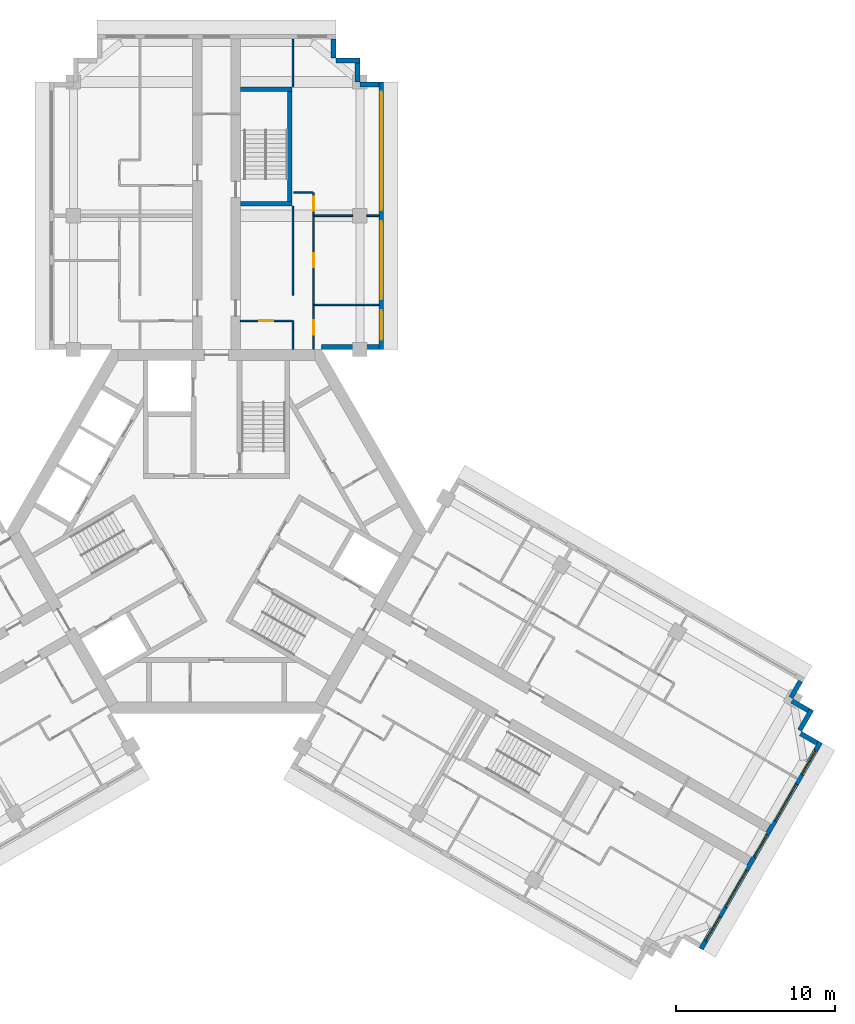
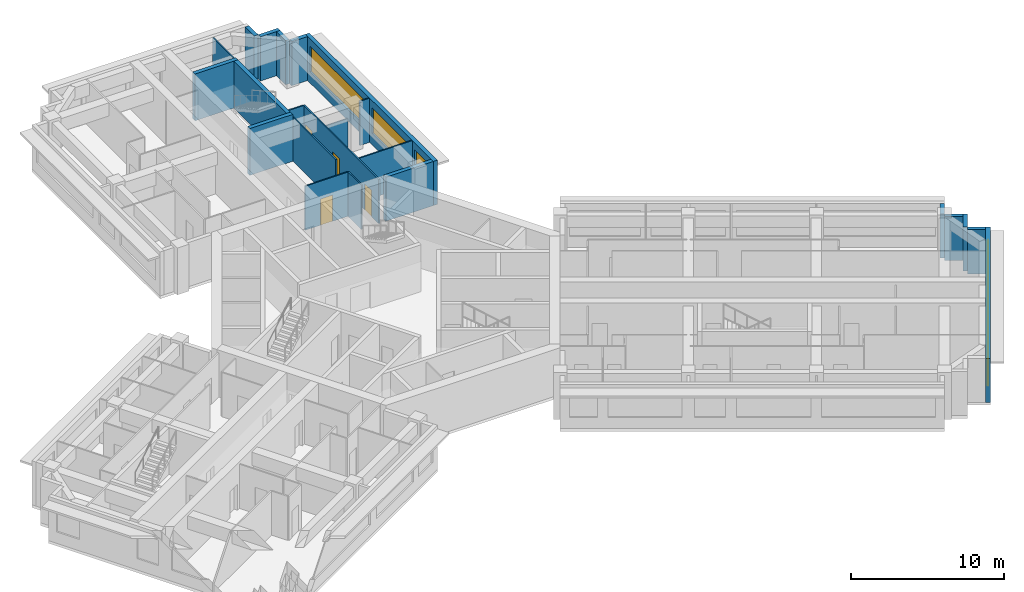
# One storey, part 8 of 10: 23 walls, 8 windows, 4 doors, 12 openings.
"""IFC4 building model written with IfcOpenShell, lengths in metres."""

from ifc_helpers import new_model, si_unit, direction, frame, frame_2d, origin, place, context, subcontext, project, spatial, rectangle, extrude, material, layer, layer_set, type_object, element, fill, save


model = new_model("IFC4")

# Units and contexts
model_context = context("Model", 3, precision=1e-05, world=origin(), true_north=direction((0.0, 1.0)))
body_context = subcontext(model_context, "Body", "Model", "MODEL_VIEW")
ifc_project = project(units=[si_unit("LENGTHUNIT", "METRE"), si_unit("AREAUNIT", "SQUARE_METRE"), si_unit("VOLUMEUNIT", "CUBIC_METRE"), si_unit("PLANEANGLEUNIT", "RADIAN"), si_unit("MASSUNIT", "GRAM", prefix="KILO")], contexts=[model_context])

# Site, building, storey
site_placement = place(None, origin())
site = spatial("IfcSite", under=ifc_project, at=site_placement, CompositionType="ELEMENT")
building_placement = place(site_placement, origin())
building = spatial("IfcBuilding", under=site, at=building_placement, Name="Impinga Residences", CompositionType="ELEMENT")
storey_placement = place(building_placement, frame((0.0, 0.0, 226.0)))
storey = spatial("IfcBuildingStorey", under=building, at=storey_placement, Name="L56", CompositionType="ELEMENT", Elevation=226.0)

# Walls
ifc_material_1 = material(Name="Terracotta rainscreen on blockwork", Category="masonry")
ifc_layer_1 = layer(ifc_material_1, 0.300048828125)
ifc_layer_set_1 = layer_set([ifc_layer_1], Name="EW1 external wall, terracotta rainscreen on blockwork 300")
wall_type_1 = type_object("IfcWallType", Name="EW1 external wall, terracotta rainscreen on blockwork 300", PredefinedType="SOLIDWALL", material=ifc_layer_set_1)
wall_1_placement = place(storey_placement, frame((36.69384765625, -9.4072265625, 0.0), z_axis=(0.0, 0.0, 1.0), x_axis=(-0.499880961361, -0.866094119867, 0.0)))
element("IfcWall", 1, at=wall_1_placement, inside=storey, type_object=wall_type_1, Name="External wall EW1 L56", PredefinedType="SOLIDWALL", context=body_context, shape_type="SweptSolid", body=[
    extrude(rectangle(XDim=1.199951171875, YDim=0.300048828125, at=frame_2d((0.60009765625, 0.0))), origin(), (0.0, 0.0, 1.0), 3.530029296875),
])
wall_2_placement = place(storey_placement, frame((36.153076171875, -10.654052734375, 0.0), z_axis=(0.0, 0.0, 1.0), x_axis=(0.866059708757, -0.499940577336, 0.0)))
element("IfcWall", 2, at=wall_2_placement, inside=storey, type_object=wall_type_1, Name="External wall EW1 L56", PredefinedType="SOLIDWALL", context=body_context, shape_type="SweptSolid", body=[
    extrude(rectangle(XDim=1.195068359375, YDim=0.300048828125, at=frame_2d((0.59765625, 0.0))), origin(), (0.0, 0.0, 1.0), 3.530029296875),
])
wall_3_placement = place(storey_placement, frame((37.39306640625, -11.196533203125, 0.0), z_axis=(0.0, 0.0, 1.0), x_axis=(-0.499990139034, -0.866031096941, 0.0)))
element("IfcWall", 3, at=wall_3_placement, inside=storey, type_object=wall_type_1, Name="External wall EW1 L56", PredefinedType="SOLIDWALL", context=body_context, shape_type="SweptSolid", body=[
    extrude(rectangle(XDim=1.5, YDim=0.300048828125, at=frame_2d((0.75, 0.0))), origin(), (0.0, 0.0, 1.0), 3.530029296875),
])
wall_4_placement = place(storey_placement, frame((36.7021484375, -12.702880859375, 0.0), z_axis=(0.0, 0.0, 1.0), x_axis=(0.865971243484, -0.500093796661, 0.0)))
element("IfcWall", 4, at=wall_4_placement, inside=storey, type_object=wall_type_1, Name="External wall EW1 L56", PredefinedType="SOLIDWALL", context=body_context, shape_type="SweptSolid", body=[
    extrude(rectangle(XDim=1.195068359375, YDim=0.300048828125, at=frame_2d((0.59765625, 0.0))), origin(), (0.0, 0.0, 1.0), 3.530029296875),
])

# Wall, openings, windows
wall_5_placement = place(storey_placement, frame((37.94189453125, -13.24560546875, 0.0), z_axis=(0.0, 0.0, 1.0), x_axis=(-0.500004234368, -0.866022959057, 0.0)))
wall_5 = element("IfcWall", 5, at=wall_5_placement, inside=storey, type_object=wall_type_1, Name="External wall EW1 L56", PredefinedType="SOLIDWALL", context=body_context, shape_type="SweptSolid", body=[
    extrude(rectangle(XDim=14.999755859375, YDim=0.300048828125, at=frame_2d((7.5, 0.0))), origin(), (0.0, 0.0, 1.0), 3.530029296875),
])
opening_1_placement = place(wall_5_placement, frame((0.60009765625, 0.0, 0.89990234375)))
opening_1 = element("IfcOpeningElement", 6, at=opening_1_placement, cuts=wall_5, Name="Opening W1", PredefinedType="OPENING", context=body_context, shape_type="SweptSolid", body=[
    extrude(rectangle(XDim=1.75, YDim=2.050048828125, at=frame_2d((0.875, 1.02490234375))), frame((0.0, 0.159912109375, 0.0), z_axis=(0.0, -1.0, 0.0), x_axis=(1.0, 0.0, 0.0)), (0.0, 0.0, 1.0), 0.320068359375),
])
opening_2_placement = place(wall_5_placement, frame((3.050048828125, 0.0, 0.89990234375)))
opening_2 = element("IfcOpeningElement", 7, at=opening_2_placement, cuts=wall_5, Name="Opening W18", PredefinedType="OPENING", context=body_context, shape_type="SweptSolid", body=[
    extrude(rectangle(XDim=2.64990234375, YDim=2.050048828125, at=frame_2d((1.324951171875, 1.02490234375))), frame((0.0, 0.159912109375, 0.0), z_axis=(0.0, -1.0, 0.0), x_axis=(1.0, 0.0, 0.0)), (0.0, 0.0, 1.0), 0.320068359375),
])
opening_3_placement = place(wall_5_placement, frame((6.699951171875, 0.0, 0.89990234375)))
opening_3 = element("IfcOpeningElement", 8, at=opening_3_placement, cuts=wall_5, Name="Opening W19", PredefinedType="OPENING", context=body_context, shape_type="SweptSolid", body=[
    extrude(rectangle(XDim=1.60009765625, YDim=2.050048828125, at=frame_2d((0.800048828125, 1.02490234375))), frame((0.0, 0.159912109375, 0.0), z_axis=(0.0, -1.0, 0.0), x_axis=(1.0, 0.0, 0.0)), (0.0, 0.0, 1.0), 0.320068359375),
])
opening_4_placement = place(wall_5_placement, frame((9.300048828125, 0.0, 0.89990234375)))
opening_4 = element("IfcOpeningElement", 9, at=opening_4_placement, cuts=wall_5, Name="Opening W18", PredefinedType="OPENING", context=body_context, shape_type="SweptSolid", body=[
    extrude(rectangle(XDim=2.64990234375, YDim=2.050048828125, at=frame_2d((1.324951171875, 1.02490234375))), frame((0.0, 0.159912109375, 0.0), z_axis=(0.0, -1.0, 0.0), x_axis=(1.0, 0.0, 0.0)), (0.0, 0.0, 1.0), 0.320068359375),
])
opening_5_placement = place(wall_5_placement, frame((12.64990234375, 0.0, 0.89990234375)))
opening_5 = element("IfcOpeningElement", 10, at=opening_5_placement, cuts=wall_5, Name="Opening W1", PredefinedType="OPENING", context=body_context, shape_type="SweptSolid", body=[
    extrude(rectangle(XDim=1.75, YDim=2.050048828125, at=frame_2d((0.875, 1.02490234375))), frame((0.0, 0.159912109375, 0.0), z_axis=(0.0, -1.0, 0.0), x_axis=(1.0, 0.0, 0.0)), (0.0, 0.0, 1.0), 0.320068359375),
])
ifc_material_2 = material(Name="Aluminium window, clear double glazing", Category="aluminium")
window_type_1 = type_object("IfcWindowType", Name="W1 ribbon window 1750x2050", PartitioningType="SINGLE_PANEL", PredefinedType="WINDOW", material=ifc_material_2)
window_1_placement = place(opening_1_placement, origin())
window_1 = element("IfcWindow", 11, at=window_1_placement, inside=storey, type_object=window_type_1, Name="Window L56", OverallHeight=2.050048828125, OverallWidth=1.75, PartitioningType="SINGLE_PANEL", PredefinedType="WINDOW", context=body_context, shape_type="SweptSolid", body=[
    extrude(rectangle(XDim=1.75, YDim=2.050048828125, at=frame_2d((0.875, 1.02490234375))), frame((0.0, 0.030029296875, 0.0), z_axis=(0.0, -1.0, 0.0), x_axis=(1.0, 0.0, 0.0)), (0.0, 0.0, 1.0), 0.06005859375),
])
fill(opening_1, window_1)
window_2_placement = place(opening_5_placement, origin())
window_2 = element("IfcWindow", 12, at=window_2_placement, inside=storey, type_object=window_type_1, Name="Window L56", OverallHeight=2.050048828125, OverallWidth=1.75, PartitioningType="SINGLE_PANEL", PredefinedType="WINDOW", context=body_context, shape_type="SweptSolid", body=[
    extrude(rectangle(XDim=1.75, YDim=2.050048828125, at=frame_2d((0.875, 1.02490234375))), frame((0.0, 0.030029296875, 0.0), z_axis=(0.0, -1.0, 0.0), x_axis=(1.0, 0.0, 0.0)), (0.0, 0.0, 1.0), 0.06005859375),
])
fill(opening_5, window_2)
window_type_2 = type_object("IfcWindowType", Name="W18 ribbon window 2650x2050", PartitioningType="SINGLE_PANEL", PredefinedType="WINDOW", material=ifc_material_2)
window_3_placement = place(opening_2_placement, origin())
window_3 = element("IfcWindow", 13, at=window_3_placement, inside=storey, type_object=window_type_2, Name="Window L56", OverallHeight=2.050048828125, OverallWidth=2.64990234375, PartitioningType="SINGLE_PANEL", PredefinedType="WINDOW", context=body_context, shape_type="SweptSolid", body=[
    extrude(rectangle(XDim=2.64990234375, YDim=2.050048828125, at=frame_2d((1.324951171875, 1.02490234375))), frame((0.0, 0.030029296875, 0.0), z_axis=(0.0, -1.0, 0.0), x_axis=(1.0, 0.0, 0.0)), (0.0, 0.0, 1.0), 0.06005859375),
])
fill(opening_2, window_3)
window_4_placement = place(opening_4_placement, origin())
window_4 = element("IfcWindow", 14, at=window_4_placement, inside=storey, type_object=window_type_2, Name="Window L56", OverallHeight=2.050048828125, OverallWidth=2.64990234375, PartitioningType="SINGLE_PANEL", PredefinedType="WINDOW", context=body_context, shape_type="SweptSolid", body=[
    extrude(rectangle(XDim=2.64990234375, YDim=2.050048828125, at=frame_2d((1.324951171875, 1.02490234375))), frame((0.0, 0.030029296875, 0.0), z_axis=(0.0, -1.0, 0.0), x_axis=(1.0, 0.0, 0.0)), (0.0, 0.0, 1.0), 0.06005859375),
])
fill(opening_4, window_4)
window_type_3 = type_object("IfcWindowType", Name="W19 ribbon window 1600x2050", PartitioningType="SINGLE_PANEL", PredefinedType="WINDOW", material=ifc_material_2)
window_5_placement = place(opening_3_placement, origin())
window_5 = element("IfcWindow", 15, at=window_5_placement, inside=storey, type_object=window_type_3, Name="Window L56", OverallHeight=2.050048828125, OverallWidth=1.60009765625, PartitioningType="SINGLE_PANEL", PredefinedType="WINDOW", context=body_context, shape_type="SweptSolid", body=[
    extrude(rectangle(XDim=1.60009765625, YDim=2.050048828125, at=frame_2d((0.800048828125, 1.02490234375))), frame((0.0, 0.030029296875, 0.0), z_axis=(0.0, -1.0, 0.0), x_axis=(1.0, 0.0, 0.0)), (0.0, 0.0, 1.0), 0.06005859375),
])
fill(opening_3, window_5)

# Walls
wall_6_placement = place(storey_placement, frame((7.35009765625, 30.931640625, 0.0), z_axis=(0.0, 0.0, 1.0), x_axis=(0.0, -1.0, 0.0)))
element("IfcWall", 16, at=wall_6_placement, inside=storey, type_object=wall_type_1, Name="External wall EW1 L56", PredefinedType="SOLIDWALL", context=body_context, shape_type="SweptSolid", body=[
    extrude(rectangle(XDim=1.195068359375, YDim=0.300048828125, at=frame_2d((0.59765625, 0.0))), origin(), (0.0, 0.0, 1.0), 3.530029296875),
])
wall_7_placement = place(storey_placement, frame((7.5, 29.58154296875, 0.0), z_axis=(0.0, 0.0, 1.0), x_axis=(1.0, 0.0, 0.0)))
element("IfcWall", 17, at=wall_7_placement, inside=storey, type_object=wall_type_1, Name="External wall EW1 L56", PredefinedType="SOLIDWALL", context=body_context, shape_type="SweptSolid", body=[
    extrude(rectangle(XDim=1.5, YDim=0.300048828125, at=frame_2d((0.75, 0.0))), origin(), (0.0, 0.0, 1.0), 3.530029296875),
])
wall_8_placement = place(storey_placement, frame((8.85009765625, 29.431640625, 0.0), z_axis=(0.0, 0.0, 1.0), x_axis=(0.0, -1.0, 0.0)))
element("IfcWall", 18, at=wall_8_placement, inside=storey, type_object=wall_type_1, Name="External wall EW1 L56", PredefinedType="SOLIDWALL", context=body_context, shape_type="SweptSolid", body=[
    extrude(rectangle(XDim=1.2001953125, YDim=0.300048828125, at=frame_2d((0.60009765625, 0.0))), origin(), (0.0, 0.0, 1.0), 3.530029296875),
])
wall_9_placement = place(storey_placement, frame((9.0048828125, 28.08154296875, 0.0), z_axis=(0.0, 0.0, 1.0), x_axis=(1.0, 0.0, 0.0)))
element("IfcWall", 19, at=wall_9_placement, inside=storey, type_object=wall_type_1, Name="External wall EW1 L56", PredefinedType="SOLIDWALL", context=body_context, shape_type="SweptSolid", body=[
    extrude(rectangle(XDim=1.195068359375, YDim=0.300048828125, at=frame_2d((0.59765625, 0.0))), origin(), (0.0, 0.0, 1.0), 3.530029296875),
])

# Wall, openings, windows
wall_10_placement = place(storey_placement, frame((10.35009765625, 28.2314453125, 0.0), z_axis=(0.0, 0.0, 1.0), x_axis=(0.0, -1.0, 0.0)))
wall_10 = element("IfcWall", 20, at=wall_10_placement, inside=storey, type_object=wall_type_1, Name="External wall EW1 L56", PredefinedType="SOLIDWALL", context=body_context, shape_type="SweptSolid", body=[
    extrude(rectangle(XDim=16.7998046875, YDim=0.300048828125, at=frame_2d((8.39990234375, 0.0))), origin(), (0.0, 0.0, 1.0), 3.530029296875),
])
opening_6_placement = place(wall_10_placement, frame((0.60009765625, 0.0, 0.89990234375)))
opening_6 = element("IfcOpeningElement", 21, at=opening_6_placement, cuts=wall_10, Name="Opening W7", PredefinedType="OPENING", context=body_context, shape_type="SweptSolid", body=[
    extrude(rectangle(XDim=7.449951171875, YDim=2.050048828125, at=frame_2d((3.72509765625, 1.02490234375))), frame((0.0, 0.159912109375, 0.0), z_axis=(0.0, -1.0, 0.0), x_axis=(1.0, 0.0, 0.0)), (0.0, 0.0, 1.0), 0.320068359375),
])
opening_7_placement = place(wall_10_placement, frame((8.75, 0.0, 0.89990234375)))
opening_7 = element("IfcOpeningElement", 22, at=opening_7_placement, cuts=wall_10, Name="Opening W16", PredefinedType="OPENING", context=body_context, shape_type="SweptSolid", body=[
    extrude(rectangle(XDim=4.89990234375, YDim=2.050048828125, at=frame_2d((2.449951171875, 1.02490234375))), frame((0.0, 0.159912109375, 0.0), z_axis=(0.0, -1.0, 0.0), x_axis=(1.0, 0.0, 0.0)), (0.0, 0.0, 1.0), 0.320068359375),
])
opening_8_placement = place(wall_10_placement, frame((14.35009765625, 0.0, 0.89990234375)))
opening_8 = element("IfcOpeningElement", 23, at=opening_8_placement, cuts=wall_10, Name="Opening W15", PredefinedType="OPENING", context=body_context, shape_type="SweptSolid", body=[
    extrude(rectangle(XDim=1.85009765625, YDim=2.050048828125, at=frame_2d((0.925048828125, 1.02490234375))), frame((0.0, 0.159912109375, 0.0), z_axis=(0.0, -1.0, 0.0), x_axis=(1.0, 0.0, 0.0)), (0.0, 0.0, 1.0), 0.320068359375),
])
window_type_4 = type_object("IfcWindowType", Name="W15 ribbon window 1850x2050", PartitioningType="SINGLE_PANEL", PredefinedType="WINDOW", material=ifc_material_2)
window_6_placement = place(opening_8_placement, origin())
window_6 = element("IfcWindow", 24, at=window_6_placement, inside=storey, type_object=window_type_4, Name="Window L56", OverallHeight=2.050048828125, OverallWidth=1.85009765625, PartitioningType="SINGLE_PANEL", PredefinedType="WINDOW", context=body_context, shape_type="SweptSolid", body=[
    extrude(rectangle(XDim=1.85009765625, YDim=2.050048828125, at=frame_2d((0.925048828125, 1.02490234375))), frame((0.0, 0.030029296875, 0.0), z_axis=(0.0, -1.0, 0.0), x_axis=(1.0, 0.0, 0.0)), (0.0, 0.0, 1.0), 0.06005859375),
])
fill(opening_8, window_6)
window_type_5 = type_object("IfcWindowType", Name="W16 ribbon window 4900x2050", PartitioningType="SINGLE_PANEL", PredefinedType="WINDOW", material=ifc_material_2)
window_7_placement = place(opening_7_placement, origin())
window_7 = element("IfcWindow", 25, at=window_7_placement, inside=storey, type_object=window_type_5, Name="Window L56", OverallHeight=2.050048828125, OverallWidth=4.89990234375, PartitioningType="SINGLE_PANEL", PredefinedType="WINDOW", context=body_context, shape_type="SweptSolid", body=[
    extrude(rectangle(XDim=4.89990234375, YDim=2.050048828125, at=frame_2d((2.449951171875, 1.02490234375))), frame((0.0, 0.030029296875, 0.0), z_axis=(0.0, -1.0, 0.0), x_axis=(1.0, 0.0, 0.0)), (0.0, 0.0, 1.0), 0.06005859375),
])
fill(opening_7, window_7)
window_type_6 = type_object("IfcWindowType", Name="W7 ribbon window 7450x2050", PartitioningType="SINGLE_PANEL", PredefinedType="WINDOW", material=ifc_material_2)
window_8_placement = place(opening_6_placement, origin())
window_8 = element("IfcWindow", 26, at=window_8_placement, inside=storey, type_object=window_type_6, Name="Window L56", OverallHeight=2.050048828125, OverallWidth=7.449951171875, PartitioningType="SINGLE_PANEL", PredefinedType="WINDOW", context=body_context, shape_type="SweptSolid", body=[
    extrude(rectangle(XDim=7.449951171875, YDim=2.050048828125, at=frame_2d((3.72509765625, 1.02490234375))), frame((0.0, 0.030029296875, 0.0), z_axis=(0.0, -1.0, 0.0), x_axis=(1.0, 0.0, 0.0)), (0.0, 0.0, 1.0), 0.06005859375),
])
fill(opening_6, window_8)

# Walls
wall_11_placement = place(storey_placement, frame((10.199951171875, 11.58154296875, 0.0), z_axis=(0.0, 0.0, 1.0), x_axis=(-1.0, 0.0, 0.0)))
element("IfcWall", 27, at=wall_11_placement, inside=storey, type_object=wall_type_1, Name="External wall EW1 L56", PredefinedType="SOLIDWALL", context=body_context, shape_type="SweptSolid", body=[
    extrude(rectangle(XDim=3.599853515625, YDim=0.300048828125, at=frame_2d((1.7998046875, 0.0))), origin(), (0.0, 0.0, 1.0), 3.530029296875),
])
ifc_material_3 = material(Name="Gypsum board on steel studs", Category="steel")
ifc_layer_2 = layer(ifc_material_3, 0.10009765625)
ifc_layer_set_2 = layer_set([ifc_layer_2], Name="Gypsum board on steel studs")
wall_type_2 = type_object("IfcWallType", Name="IP1 partition 100", PredefinedType="PARTITIONING", material=ifc_layer_set_2)
wall_12_placement = place(storey_placement, frame((4.800048828125, 11.431640625, 0.0), z_axis=(0.0, 0.0, 1.0), x_axis=(0.0, 1.0, 0.0)))
element("IfcWall", 28, at=wall_12_placement, inside=storey, type_object=wall_type_2, Name="Partition L56-NF1:DIV0", PredefinedType="PARTITIONING", context=body_context, shape_type="SweptSolid", body=[
    extrude(rectangle(XDim=1.7998046875, YDim=0.10009765625, at=frame_2d((0.89990234375, 0.0))), origin(), (0.0, 0.0, 1.0), 3.530029296875),
])
wall_13_placement = place(storey_placement, frame((4.800048828125, 14.83154296875, 0.0), z_axis=(0.0, 0.0, 1.0), x_axis=(0.0, 1.0, 0.0)))
element("IfcWall", 29, at=wall_13_placement, inside=storey, type_object=wall_type_2, Name="Partition L56-NF1:DIV1", PredefinedType="PARTITIONING", context=body_context, shape_type="SweptSolid", body=[
    extrude(rectangle(XDim=5.60009765625, YDim=0.10009765625, at=frame_2d((2.800048828125, 0.0))), origin(), (0.0, 0.0, 1.0), 3.530029296875),
])
wall_14_placement = place(storey_placement, frame((4.800048828125, 27.931640625, 0.0), z_axis=(0.0, 0.0, 1.0), x_axis=(0.0, 1.0, 0.0)))
element("IfcWall", 30, at=wall_14_placement, inside=storey, type_object=wall_type_2, Name="Partition L56-NF1:DIV2", PredefinedType="PARTITIONING", context=body_context, shape_type="SweptSolid", body=[
    extrude(rectangle(XDim=3.0, YDim=0.10009765625, at=frame_2d((1.5, 0.0))), origin(), (0.0, 0.0, 1.0), 3.530029296875),
])

# Wall, openings, doors
wall_15_placement = place(storey_placement, frame((6.10009765625, 11.431640625, 0.0), z_axis=(0.0, 0.0, 1.0), x_axis=(0.0, 1.0, 0.0)))
wall_15 = element("IfcWall", 31, at=wall_15_placement, inside=storey, type_object=wall_type_2, Name="Partition L56-NF1:STRIP", PredefinedType="PARTITIONING", context=body_context, shape_type="SweptSolid", body=[
    extrude(rectangle(XDim=9.849853515625, YDim=0.10009765625, at=frame_2d((4.9248046875, 0.0))), origin(), (0.0, 0.0, 1.0), 3.530029296875),
])
opening_9_placement = place(wall_15_placement, frame((0.925048828125, 0.0, 0.0)))
opening_9 = element("IfcOpeningElement", 32, at=opening_9_placement, cuts=wall_15, Name="Opening D2", PredefinedType="OPENING", context=body_context, shape_type="SweptSolid", body=[
    extrude(rectangle(XDim=0.89990234375, YDim=2.10009765625, at=frame_2d((0.449951171875, 1.050048828125))), frame((0.0, 0.06005859375, 0.0), z_axis=(0.0, -1.0, 0.0), x_axis=(1.0, 0.0, 0.0)), (0.0, 0.0, 1.0), 0.1201171875),
])
opening_10_placement = place(wall_15_placement, frame((5.14990234375, 0.0, 0.0)))
opening_10 = element("IfcOpeningElement", 33, at=opening_10_placement, cuts=wall_15, Name="Opening D2", PredefinedType="OPENING", context=body_context, shape_type="SweptSolid", body=[
    extrude(rectangle(XDim=0.89990234375, YDim=2.10009765625, at=frame_2d((0.449951171875, 1.050048828125))), frame((0.0, 0.06005859375, 0.0), z_axis=(0.0, -1.0, 0.0), x_axis=(1.0, 0.0, 0.0)), (0.0, 0.0, 1.0), 0.1201171875),
])
opening_11_placement = place(wall_15_placement, frame((8.699951171875, 0.0, 0.0)))
opening_11 = element("IfcOpeningElement", 34, at=opening_11_placement, cuts=wall_15, Name="Opening D2", PredefinedType="OPENING", context=body_context, shape_type="SweptSolid", body=[
    extrude(rectangle(XDim=0.89990234375, YDim=2.10009765625, at=frame_2d((0.449951171875, 1.050048828125))), frame((0.0, 0.06005859375, 0.0), z_axis=(0.0, -1.0, 0.0), x_axis=(1.0, 0.0, 0.0)), (0.0, 0.0, 1.0), 0.1201171875),
])
ifc_material_4 = material(Name="Timber door set", Category="wood")
door_type = type_object("IfcDoorType", Name="D2 internal door 900x2100", OperationType="SINGLE_SWING_LEFT", PredefinedType="DOOR", material=ifc_material_4)
door_1_placement = place(opening_9_placement, origin())
door_1 = element("IfcDoor", 35, at=door_1_placement, inside=storey, type_object=door_type, Name="Apartment L56-NF1 room door", OperationType="SINGLE_SWING_LEFT", OverallHeight=2.10009765625, OverallWidth=0.89990234375, PredefinedType="DOOR", context=body_context, shape_type="SweptSolid", body=[
    extrude(rectangle(XDim=0.89990234375, YDim=2.10009765625, at=frame_2d((0.449951171875, 1.050048828125))), frame((0.0, 0.02490234375, 0.0), z_axis=(0.0, -1.0, 0.0), x_axis=(1.0, 0.0, 0.0)), (0.0, 0.0, 1.0), 0.050048828125),
])
fill(opening_9, door_1)
door_2_placement = place(opening_10_placement, origin())
door_2 = element("IfcDoor", 36, at=door_2_placement, inside=storey, type_object=door_type, Name="Apartment L56-NF1 room door", OperationType="SINGLE_SWING_RIGHT", OverallHeight=2.10009765625, OverallWidth=0.89990234375, PredefinedType="DOOR", context=body_context, shape_type="SweptSolid", body=[
    extrude(rectangle(XDim=0.89990234375, YDim=2.10009765625, at=frame_2d((0.449951171875, 1.050048828125))), frame((0.0, 0.02490234375, 0.0), z_axis=(0.0, -1.0, 0.0), x_axis=(1.0, 0.0, 0.0)), (0.0, 0.0, 1.0), 0.050048828125),
])
fill(opening_10, door_2)
door_3_placement = place(opening_11_placement, origin())
door_3 = element("IfcDoor", 37, at=door_3_placement, inside=storey, type_object=door_type, Name="Apartment L56-NF1 room door", OperationType="SINGLE_SWING_RIGHT", OverallHeight=2.10009765625, OverallWidth=0.89990234375, PredefinedType="DOOR", context=body_context, shape_type="SweptSolid", body=[
    extrude(rectangle(XDim=0.89990234375, YDim=2.10009765625, at=frame_2d((0.449951171875, 1.050048828125))), frame((0.0, 0.02490234375, 0.0), z_axis=(0.0, -1.0, 0.0), x_axis=(1.0, 0.0, 0.0)), (0.0, 0.0, 1.0), 0.050048828125),
])
fill(opening_11, door_3)

# Wall
wall_16_placement = place(storey_placement, frame((4.85009765625, 21.281494140625, 0.0), z_axis=(0.0, 0.0, 1.0), x_axis=(1.0, 0.0, 0.0)))
element("IfcWall", 38, at=wall_16_placement, inside=storey, type_object=wall_type_2, Name="Partition L56-NF1:SE1", PredefinedType="PARTITIONING", context=body_context, shape_type="SweptSolid", body=[
    extrude(rectangle(XDim=1.199951171875, YDim=0.10009765625, at=frame_2d((0.60009765625, 0.0))), origin(), (0.0, 0.0, 1.0), 3.530029296875),
])

# Wall, opening, door
wall_17_placement = place(storey_placement, frame((1.5, 13.2314453125, 0.0), z_axis=(0.0, 0.0, 1.0), x_axis=(1.0, 0.0, 0.0)))
wall_17 = element("IfcWall", 39, at=wall_17_placement, inside=storey, type_object=wall_type_2, Name="Partition L56-NF1:IB1", PredefinedType="PARTITIONING", context=body_context, shape_type="SweptSolid", body=[
    extrude(rectangle(XDim=3.25, YDim=0.10009765625, at=frame_2d((1.625, 0.0))), origin(), (0.0, 0.0, 1.0), 3.530029296875),
])
opening_12_placement = place(wall_17_placement, frame((1.175048828125, 0.0, 0.0)))
opening_12 = element("IfcOpeningElement", 40, at=opening_12_placement, cuts=wall_17, Name="Opening D2", PredefinedType="OPENING", context=body_context, shape_type="SweptSolid", body=[
    extrude(rectangle(XDim=0.89990234375, YDim=2.10009765625, at=frame_2d((0.449951171875, 1.050048828125))), frame((0.0, 0.06005859375, 0.0), z_axis=(0.0, -1.0, 0.0), x_axis=(1.0, 0.0, 0.0)), (0.0, 0.0, 1.0), 0.1201171875),
])
door_4_placement = place(opening_12_placement, origin())
door_4 = element("IfcDoor", 41, at=door_4_placement, inside=storey, type_object=door_type, Name="Apartment L56-NF1 bathroom door", OperationType="SINGLE_SWING_LEFT", OverallHeight=2.10009765625, OverallWidth=0.89990234375, PredefinedType="DOOR", context=body_context, shape_type="SweptSolid", body=[
    extrude(rectangle(XDim=0.89990234375, YDim=2.10009765625, at=frame_2d((0.449951171875, 1.050048828125))), frame((0.0, 0.02490234375, 0.0), z_axis=(0.0, -1.0, 0.0), x_axis=(1.0, 0.0, 0.0)), (0.0, 0.0, 1.0), 0.050048828125),
])
fill(opening_12, door_4)

# Walls
wall_18_placement = place(storey_placement, frame((6.14990234375, 14.2314453125, 0.0), z_axis=(0.0, 0.0, 1.0), x_axis=(1.0, 0.0, 0.0)))
element("IfcWall", 42, at=wall_18_placement, inside=storey, type_object=wall_type_2, Name="Partition L56-NF1:OB1", PredefinedType="PARTITIONING", context=body_context, shape_type="SweptSolid", body=[
    extrude(rectangle(XDim=4.050048828125, YDim=0.10009765625, at=frame_2d((2.02490234375, 0.0))), origin(), (0.0, 0.0, 1.0), 3.530029296875),
])
wall_19_placement = place(storey_placement, frame((6.14990234375, 19.83154296875, 0.0), z_axis=(0.0, 0.0, 1.0), x_axis=(1.0, 0.0, 0.0)))
element("IfcWall", 43, at=wall_19_placement, inside=storey, type_object=wall_type_2, Name="Partition L56-NF1:OB2", PredefinedType="PARTITIONING", context=body_context, shape_type="SweptSolid", body=[
    extrude(rectangle(XDim=2.400146484375, YDim=0.10009765625, at=frame_2d((1.2001953125, 0.0))), origin(), (0.0, 0.0, 1.0), 2.47998046875),
])
wall_20_placement = place(storey_placement, frame((9.449951171875, 19.83154296875, 0.0), z_axis=(0.0, 0.0, 1.0), x_axis=(1.0, 0.0, 0.0)))
element("IfcWall", 44, at=wall_20_placement, inside=storey, type_object=wall_type_2, Name="Partition L56-NF1:OB2b", PredefinedType="PARTITIONING", context=body_context, shape_type="SweptSolid", body=[
    extrude(rectangle(XDim=0.75, YDim=0.10009765625, at=frame_2d((0.375, 0.0))), origin(), (0.0, 0.0, 1.0), 3.530029296875),
])
ifc_material_5 = material(Name="Concrete C60/75", Category="concrete")
ifc_layer_3 = layer(ifc_material_5, 0.300048828125)
ifc_layer_set_3 = layer_set([ifc_layer_3], Name="Concrete C60/75")
wall_type_3 = type_object("IfcWallType", Name="SE1 wing stair enclosure wall 300", PredefinedType="SOLIDWALL", material=ifc_layer_set_3)
for number, where, z_axis, x_axis, name in (
    (45, (1.5, 20.58154296875, 0.0), (0.0, 0.0, 1.0), (1.0, 0.0, 0.0), "Stair enclosure wall SE1 N END0 L56"),
    (46, (1.5, 27.781494140625, 0.0), (0.0, 0.0, 1.0), (1.0, 0.0, 0.0), "Stair enclosure wall SE1 N END1 L56"),
):
    element("IfcWall", number, at=place(storey_placement, frame(where, z_axis=z_axis, x_axis=x_axis)), inside=storey, type_object=wall_type_3, Name=name, PredefinedType="SOLIDWALL", context=body_context, shape_type="SweptSolid", body=[
        extrude(rectangle(XDim=3.25, YDim=0.300048828125, at=frame_2d((1.625, 0.0))), origin(), (0.0, 0.0, 1.0), 3.75),
    ])
wall_21_placement = place(storey_placement, frame((4.60009765625, 20.7314453125, 0.0), z_axis=(0.0, 0.0, 1.0), x_axis=(0.0, 1.0, 0.0)))
element("IfcWall", 47, at=wall_21_placement, inside=storey, type_object=wall_type_3, Name="Stair enclosure wall SE1 N OUT L56", PredefinedType="SOLIDWALL", context=body_context, shape_type="SweptSolid", body=[
    extrude(rectangle(XDim=6.900146484375, YDim=0.300048828125, at=frame_2d((3.4501953125, 0.0))), origin(), (0.0, 0.0, 1.0), 3.75),
])

save(model, "model.ifc")
